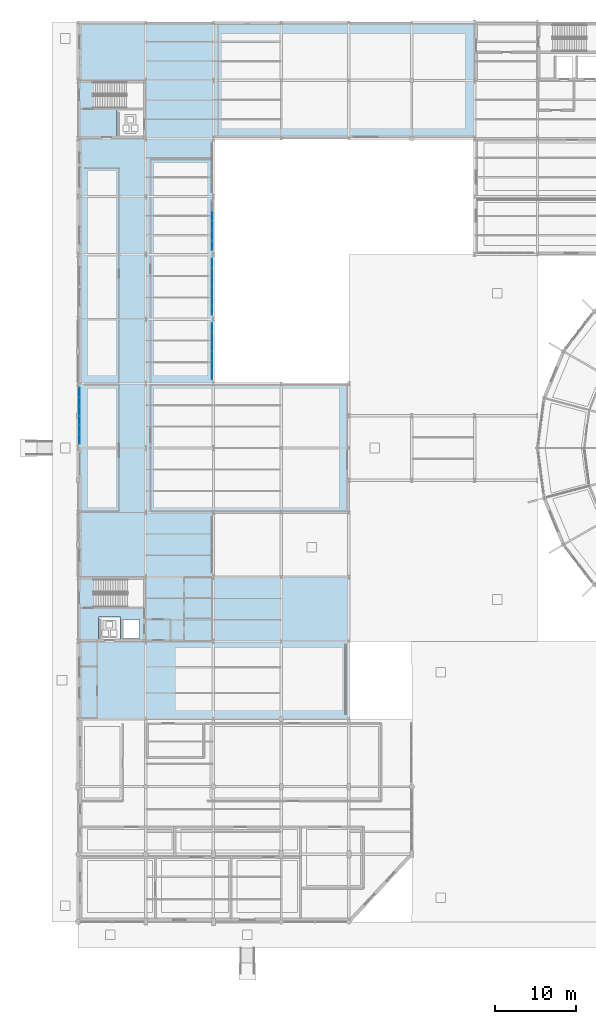
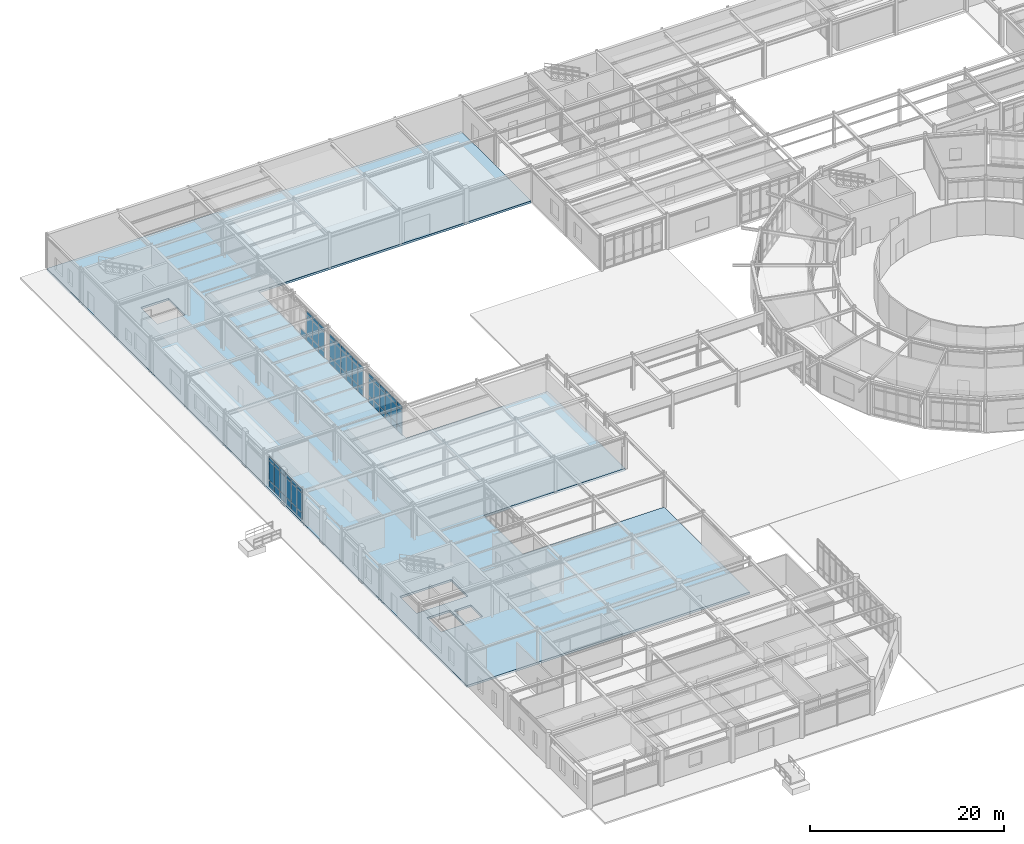
# One storey, part 66 of 101: 64 plates, 1 slab, 4 elements without a shape of their own.
"""IFC4 building model written with IfcOpenShell, lengths in metres."""

from ifc_helpers import new_model, si_unit, derived_unit, direction, frame, origin, origin_2d, place, context, subcontext, project, spatial, polyline, rectangle, outline, extrude, material, layer, layer_set, type_object, element, aggregate, save


model = new_model("IFC4")

# Units and contexts
model_context = context("Model", 3, precision=1e-05, world=origin(), true_north=direction((0.0, 1.0)))
body_context = subcontext(model_context, "Body", "Model", "MODEL_VIEW")
ifc_project = project(units=[si_unit("LENGTHUNIT", "METRE"), si_unit("AREAUNIT", "SQUARE_METRE"), si_unit("VOLUMEUNIT", "CUBIC_METRE"), si_unit("PLANEANGLEUNIT", "RADIAN"), si_unit("MASSUNIT", "GRAM", prefix="KILO"), derived_unit("THERMALTRANSMITTANCEUNIT", [(si_unit("POWERUNIT", "WATT"), 1), (si_unit("AREAUNIT", "SQUARE_METRE"), -1), (si_unit("THERMODYNAMICTEMPERATUREUNIT", "KELVIN"), -1)])], contexts=[model_context])

# Site, building, storey
site_placement = place(None, origin())
site = spatial("IfcSite", under=ifc_project, at=site_placement, CompositionType="ELEMENT")
building_placement = place(site_placement, origin())
building = spatial("IfcBuilding", under=site, at=building_placement, Name="Yasenodar Specialist Clinic", CompositionType="ELEMENT")
storey_placement = place(building_placement, origin())
storey = spatial("IfcBuildingStorey", under=building, at=storey_placement, Name="L00", CompositionType="ELEMENT", Elevation=0.0)

# Curtain wall, plates
ifc_material_1 = material(Name="Bronze Anodized Aluminium and Triple Low-E Glass", Category="aluminium")
ifc_layer_1 = layer(ifc_material_1, 0.202880859375)
ifc_layer_set_1 = layer_set([ifc_layer_1], Name="Bronze Anodized Aluminium and Triple Low-E Glass")
curtain_wall_type_1 = type_object("IfcCurtainWallType", Name="CW-SYS-04", PredefinedType="USERDEFINED", material=ifc_layer_set_1)
curtain_wall_1_placement = place(storey_placement, origin())
curtain_wall_1 = element("IfcCurtainWall", 1, at=curtain_wall_1_placement, inside=storey, type_object=curtain_wall_type_1, Name="L00 Unitised Curtain Wall 116", ObjectType="UNITISED CURTAIN WALL", PredefinedType="USERDEFINED")
ifc_material_2 = material(Name="Triple Low-E Argon Glazing", Category="glass")
ifc_layer_2 = layer(ifc_material_2, 0.028076171875)
ifc_layer_set_2 = layer_set([ifc_layer_2], Name="Triple Low-E Argon Glazing")
plate_type_1 = type_object("IfcPlateType", Name="CW-PAN-1", PredefinedType="CURTAIN_PANEL", material=ifc_layer_set_2)
plate_1_placement = place(storey_placement, frame((16.64990234375, 81.71826171875, 0.06005859375), z_axis=(0.0, 0.0, 1.0), x_axis=(0.0, -1.0, 0.0)))
plate_1 = element("IfcPlate", 2, at=plate_1_placement, type_object=plate_type_1, Name="CW-04 panel 1.1", PredefinedType="CURTAIN_PANEL", context=body_context, shape_type="SweptSolid", body=[
    extrude(rectangle(XDim=1.083251953125, YDim=0.028076171875, at=origin_2d()), origin(), (0.0, 0.0, 1.0), 0.81005859375),
])
plate_2_placement = place(storey_placement, frame((16.64990234375, 81.71826171875, 0.929931640625), z_axis=(0.0, 0.0, 1.0), x_axis=(0.0, -1.0, 0.0)))
plate_2 = element("IfcPlate", 3, at=plate_2_placement, type_object=plate_type_1, Name="CW-04 panel 1.2", PredefinedType="CURTAIN_PANEL", context=body_context, shape_type="SweptSolid", body=[
    extrude(rectangle(XDim=1.083251953125, YDim=0.028076171875, at=origin_2d()), origin(), (0.0, 0.0, 1.0), 2.26806640625),
])
plate_3_placement = place(storey_placement, frame((16.64990234375, 81.71826171875, 3.2578125), z_axis=(0.0, 0.0, 1.0), x_axis=(0.0, -1.0, 0.0)))
plate_3 = element("IfcPlate", 4, at=plate_3_placement, type_object=plate_type_1, Name="CW-04 panel 1.3", PredefinedType="CURTAIN_PANEL", context=body_context, shape_type="SweptSolid", body=[
    extrude(rectangle(XDim=1.083251953125, YDim=0.028076171875, at=origin_2d()), origin(), (0.0, 0.0, 1.0), 0.510009765625),
])
plate_4_placement = place(storey_placement, frame((16.64990234375, 80.56005859375, 0.06005859375), z_axis=(0.0, 0.0, 1.0), x_axis=(0.0, -1.0, 0.0)))
plate_4 = element("IfcPlate", 5, at=plate_4_placement, type_object=plate_type_1, Name="CW-04 panel 2.1", PredefinedType="CURTAIN_PANEL", context=body_context, shape_type="SweptSolid", body=[
    extrude(rectangle(XDim=1.11328125, YDim=0.028076171875, at=origin_2d()), origin(), (0.0, 0.0, 1.0), 0.81005859375),
])
plate_5_placement = place(storey_placement, frame((16.64990234375, 80.56005859375, 0.929931640625), z_axis=(0.0, 0.0, 1.0), x_axis=(0.0, -1.0, 0.0)))
plate_5 = element("IfcPlate", 6, at=plate_5_placement, type_object=plate_type_1, Name="CW-04 panel 2.2", PredefinedType="CURTAIN_PANEL", context=body_context, shape_type="SweptSolid", body=[
    extrude(rectangle(XDim=1.11328125, YDim=0.028076171875, at=origin_2d()), origin(), (0.0, 0.0, 1.0), 2.26806640625),
])
plate_6_placement = place(storey_placement, frame((16.64990234375, 80.56005859375, 3.2578125), z_axis=(0.0, 0.0, 1.0), x_axis=(0.0, -1.0, 0.0)))
plate_6 = element("IfcPlate", 7, at=plate_6_placement, type_object=plate_type_1, Name="CW-04 panel 2.3", PredefinedType="CURTAIN_PANEL", context=body_context, shape_type="SweptSolid", body=[
    extrude(rectangle(XDim=1.11328125, YDim=0.028076171875, at=origin_2d()), origin(), (0.0, 0.0, 1.0), 0.510009765625),
])
plate_7_placement = place(storey_placement, frame((16.64990234375, 79.38671875, 0.06005859375), z_axis=(0.0, 0.0, 1.0), x_axis=(0.0, -1.0, 0.0)))
plate_7 = element("IfcPlate", 8, at=plate_7_placement, type_object=plate_type_1, Name="CW-04 panel 3.1", PredefinedType="CURTAIN_PANEL", context=body_context, shape_type="SweptSolid", body=[
    extrude(rectangle(XDim=1.11328125, YDim=0.028076171875, at=origin_2d()), origin(), (0.0, 0.0, 1.0), 0.81005859375),
])
plate_8_placement = place(storey_placement, frame((16.64990234375, 79.38671875, 0.929931640625), z_axis=(0.0, 0.0, 1.0), x_axis=(0.0, -1.0, 0.0)))
plate_8 = element("IfcPlate", 9, at=plate_8_placement, type_object=plate_type_1, Name="CW-04 panel 3.2", PredefinedType="CURTAIN_PANEL", context=body_context, shape_type="SweptSolid", body=[
    extrude(rectangle(XDim=1.11328125, YDim=0.028076171875, at=origin_2d()), origin(), (0.0, 0.0, 1.0), 2.26806640625),
])
plate_9_placement = place(storey_placement, frame((16.64990234375, 79.38671875, 3.2578125), z_axis=(0.0, 0.0, 1.0), x_axis=(0.0, -1.0, 0.0)))
plate_9 = element("IfcPlate", 10, at=plate_9_placement, type_object=plate_type_1, Name="CW-04 panel 3.3", PredefinedType="CURTAIN_PANEL", context=body_context, shape_type="SweptSolid", body=[
    extrude(rectangle(XDim=1.11328125, YDim=0.028076171875, at=origin_2d()), origin(), (0.0, 0.0, 1.0), 0.510009765625),
])
plate_10_placement = place(storey_placement, frame((16.64990234375, 78.21337890625, 0.06005859375), z_axis=(0.0, 0.0, 1.0), x_axis=(0.0, -1.0, 0.0)))
plate_10 = element("IfcPlate", 11, at=plate_10_placement, type_object=plate_type_1, Name="CW-04 panel 4.1", PredefinedType="CURTAIN_PANEL", context=body_context, shape_type="SweptSolid", body=[
    extrude(rectangle(XDim=1.11328125, YDim=0.028076171875, at=origin_2d()), origin(), (0.0, 0.0, 1.0), 0.81005859375),
])
plate_11_placement = place(storey_placement, frame((16.64990234375, 78.21337890625, 0.929931640625), z_axis=(0.0, 0.0, 1.0), x_axis=(0.0, -1.0, 0.0)))
plate_11 = element("IfcPlate", 12, at=plate_11_placement, type_object=plate_type_1, Name="CW-04 panel 4.2", PredefinedType="CURTAIN_PANEL", context=body_context, shape_type="SweptSolid", body=[
    extrude(rectangle(XDim=1.11328125, YDim=0.028076171875, at=origin_2d()), origin(), (0.0, 0.0, 1.0), 2.26806640625),
])
plate_12_placement = place(storey_placement, frame((16.64990234375, 78.21337890625, 3.2578125), z_axis=(0.0, 0.0, 1.0), x_axis=(0.0, -1.0, 0.0)))
plate_12 = element("IfcPlate", 13, at=plate_12_placement, type_object=plate_type_1, Name="CW-04 panel 4.3", PredefinedType="CURTAIN_PANEL", context=body_context, shape_type="SweptSolid", body=[
    extrude(rectangle(XDim=1.11328125, YDim=0.028076171875, at=origin_2d()), origin(), (0.0, 0.0, 1.0), 0.510009765625),
])
plate_13_placement = place(storey_placement, frame((16.64990234375, 77.0400390625, 0.06005859375), z_axis=(0.0, 0.0, 1.0), x_axis=(0.0, -1.0, 0.0)))
plate_13 = element("IfcPlate", 14, at=plate_13_placement, type_object=plate_type_1, Name="CW-04 panel 5.1", PredefinedType="CURTAIN_PANEL", context=body_context, shape_type="SweptSolid", body=[
    extrude(rectangle(XDim=1.11328125, YDim=0.028076171875, at=origin_2d()), origin(), (0.0, 0.0, 1.0), 0.81005859375),
])
plate_14_placement = place(storey_placement, frame((16.64990234375, 77.0400390625, 0.929931640625), z_axis=(0.0, 0.0, 1.0), x_axis=(0.0, -1.0, 0.0)))
plate_14 = element("IfcPlate", 15, at=plate_14_placement, type_object=plate_type_1, Name="CW-04 panel 5.2", PredefinedType="CURTAIN_PANEL", context=body_context, shape_type="SweptSolid", body=[
    extrude(rectangle(XDim=1.11328125, YDim=0.028076171875, at=origin_2d()), origin(), (0.0, 0.0, 1.0), 2.26806640625),
])
plate_15_placement = place(storey_placement, frame((16.64990234375, 77.0400390625, 3.2578125), z_axis=(0.0, 0.0, 1.0), x_axis=(0.0, -1.0, 0.0)))
plate_15 = element("IfcPlate", 16, at=plate_15_placement, type_object=plate_type_1, Name="CW-04 panel 5.3", PredefinedType="CURTAIN_PANEL", context=body_context, shape_type="SweptSolid", body=[
    extrude(rectangle(XDim=1.11328125, YDim=0.028076171875, at=origin_2d()), origin(), (0.0, 0.0, 1.0), 0.510009765625),
])
plate_16_placement = place(storey_placement, frame((16.64990234375, 75.881591796875, 0.06005859375), z_axis=(0.0, 0.0, 1.0), x_axis=(0.0, -1.0, 0.0)))
plate_16 = element("IfcPlate", 17, at=plate_16_placement, type_object=plate_type_1, Name="CW-04 panel 6.1", PredefinedType="CURTAIN_PANEL", context=body_context, shape_type="SweptSolid", body=[
    extrude(rectangle(XDim=1.083251953125, YDim=0.028076171875, at=origin_2d()), origin(), (0.0, 0.0, 1.0), 0.81005859375),
])
plate_17_placement = place(storey_placement, frame((16.64990234375, 75.881591796875, 0.929931640625), z_axis=(0.0, 0.0, 1.0), x_axis=(0.0, -1.0, 0.0)))
plate_17 = element("IfcPlate", 18, at=plate_17_placement, type_object=plate_type_1, Name="CW-04 panel 6.2", PredefinedType="CURTAIN_PANEL", context=body_context, shape_type="SweptSolid", body=[
    extrude(rectangle(XDim=1.083251953125, YDim=0.028076171875, at=origin_2d()), origin(), (0.0, 0.0, 1.0), 2.26806640625),
])
plate_18_placement = place(storey_placement, frame((16.64990234375, 75.881591796875, 3.2578125), z_axis=(0.0, 0.0, 1.0), x_axis=(0.0, -1.0, 0.0)))
plate_18 = element("IfcPlate", 19, at=plate_18_placement, type_object=plate_type_1, Name="CW-04 panel 6.3", PredefinedType="CURTAIN_PANEL", context=body_context, shape_type="SweptSolid", body=[
    extrude(rectangle(XDim=1.083251953125, YDim=0.028076171875, at=origin_2d()), origin(), (0.0, 0.0, 1.0), 0.510009765625),
])
aggregate(curtain_wall_1, [plate_1, plate_2, plate_3, plate_4, plate_5, plate_6, plate_7, plate_8, plate_9, plate_10, plate_11, plate_12, plate_13, plate_14, plate_15, plate_16, plate_17, plate_18])

ifc_layer_3 = layer(ifc_material_1, 0.22705078125)
ifc_layer_set_3 = layer_set([ifc_layer_3], Name="Bronze Anodized Aluminium and Triple Low-E Glass")
curtain_wall_type_2 = type_object("IfcCurtainWallType", Name="CW-SYS-06", PredefinedType="USERDEFINED", material=ifc_layer_set_3)
curtain_wall_2_placement = place(storey_placement, origin())
curtain_wall_2 = element("IfcCurtainWall", 20, at=curtain_wall_2_placement, inside=storey, type_object=curtain_wall_type_2, Name="L00 Unitised Curtain Wall 113", ObjectType="UNITISED CURTAIN WALL", PredefinedType="USERDEFINED")
ifc_layer_4 = layer(ifc_material_2, 0.033935546875)
ifc_layer_set_4 = layer_set([ifc_layer_4], Name="Triple Low-E Argon Glazing")
plate_type_2 = type_object("IfcPlateType", Name="CW-PAN-2", PredefinedType="CURTAIN_PANEL", material=ifc_layer_set_4)
plate_19_placement = place(storey_placement, frame((0.179931640625, 59.88427734375, 0.070068359375), z_axis=(0.0, 0.0, 1.0), x_axis=(0.0, 1.0, 0.0)))
plate_19 = element("IfcPlate", 21, at=plate_19_placement, type_object=plate_type_2, Name="CW-06 panel 1.1", PredefinedType="CURTAIN_PANEL", context=body_context, shape_type="SweptSolid", body=[
    extrude(rectangle(XDim=1.068359375, YDim=0.033935546875, at=origin_2d()), origin(), (0.0, 0.0, 1.0), 0.794921875),
])
plate_20_placement = place(storey_placement, frame((0.179931640625, 59.88427734375, 0.93505859375), z_axis=(0.0, 0.0, 1.0), x_axis=(0.0, 1.0, 0.0)))
plate_20 = element("IfcPlate", 22, at=plate_20_placement, type_object=plate_type_2, Name="CW-06 panel 1.2", PredefinedType="CURTAIN_PANEL", context=body_context, shape_type="SweptSolid", body=[
    extrude(rectangle(XDim=1.068359375, YDim=0.033935546875, at=origin_2d()), origin(), (0.0, 0.0, 1.0), 2.407958984375),
])
plate_21_placement = place(storey_placement, frame((0.179931640625, 59.88427734375, 3.412841796875), z_axis=(0.0, 0.0, 1.0), x_axis=(0.0, 1.0, 0.0)))
plate_21 = element("IfcPlate", 23, at=plate_21_placement, type_object=plate_type_2, Name="CW-06 panel 1.3", PredefinedType="CURTAIN_PANEL", context=body_context, shape_type="SweptSolid", body=[
    extrude(rectangle(XDim=1.068359375, YDim=0.033935546875, at=origin_2d()), origin(), (0.0, 0.0, 1.0), 0.4951171875),
])
plate_22_placement = place(storey_placement, frame((0.179931640625, 61.0400390625, 0.070068359375), z_axis=(0.0, 0.0, 1.0), x_axis=(0.0, 1.0, 0.0)))
plate_22 = element("IfcPlate", 24, at=plate_22_placement, type_object=plate_type_2, Name="CW-06 panel 2.1", PredefinedType="CURTAIN_PANEL", context=body_context, shape_type="SweptSolid", body=[
    extrude(rectangle(XDim=1.103271484375, YDim=0.033935546875, at=origin_2d()), origin(), (0.0, 0.0, 1.0), 0.794921875),
])
plate_23_placement = place(storey_placement, frame((0.179931640625, 61.0400390625, 0.93505859375), z_axis=(0.0, 0.0, 1.0), x_axis=(0.0, 1.0, 0.0)))
plate_23 = element("IfcPlate", 25, at=plate_23_placement, type_object=plate_type_2, Name="CW-06 panel 2.2", PredefinedType="CURTAIN_PANEL", context=body_context, shape_type="SweptSolid", body=[
    extrude(rectangle(XDim=1.103271484375, YDim=0.033935546875, at=origin_2d()), origin(), (0.0, 0.0, 1.0), 2.407958984375),
])
plate_24_placement = place(storey_placement, frame((0.179931640625, 61.0400390625, 3.412841796875), z_axis=(0.0, 0.0, 1.0), x_axis=(0.0, 1.0, 0.0)))
plate_24 = element("IfcPlate", 26, at=plate_24_placement, type_object=plate_type_2, Name="CW-06 panel 2.3", PredefinedType="CURTAIN_PANEL", context=body_context, shape_type="SweptSolid", body=[
    extrude(rectangle(XDim=1.103271484375, YDim=0.033935546875, at=origin_2d()), origin(), (0.0, 0.0, 1.0), 0.4951171875),
])
plate_25_placement = place(storey_placement, frame((0.179931640625, 62.21337890625, 0.070068359375), z_axis=(0.0, 0.0, 1.0), x_axis=(0.0, 1.0, 0.0)))
plate_25 = element("IfcPlate", 27, at=plate_25_placement, type_object=plate_type_2, Name="CW-06 panel 3.1", PredefinedType="CURTAIN_PANEL", context=body_context, shape_type="SweptSolid", body=[
    extrude(rectangle(XDim=1.103271484375, YDim=0.033935546875, at=origin_2d()), origin(), (0.0, 0.0, 1.0), 0.794921875),
])
plate_26_placement = place(storey_placement, frame((0.179931640625, 62.21337890625, 0.93505859375), z_axis=(0.0, 0.0, 1.0), x_axis=(0.0, 1.0, 0.0)))
plate_26 = element("IfcPlate", 28, at=plate_26_placement, type_object=plate_type_2, Name="CW-06 panel 3.2", PredefinedType="CURTAIN_PANEL", context=body_context, shape_type="SweptSolid", body=[
    extrude(rectangle(XDim=1.103271484375, YDim=0.033935546875, at=origin_2d()), origin(), (0.0, 0.0, 1.0), 2.407958984375),
])
plate_27_placement = place(storey_placement, frame((0.179931640625, 62.21337890625, 3.412841796875), z_axis=(0.0, 0.0, 1.0), x_axis=(0.0, 1.0, 0.0)))
plate_27 = element("IfcPlate", 29, at=plate_27_placement, type_object=plate_type_2, Name="CW-06 panel 3.3", PredefinedType="CURTAIN_PANEL", context=body_context, shape_type="SweptSolid", body=[
    extrude(rectangle(XDim=1.103271484375, YDim=0.033935546875, at=origin_2d()), origin(), (0.0, 0.0, 1.0), 0.4951171875),
])
plate_28_placement = place(storey_placement, frame((0.179931640625, 63.38671875, 0.070068359375), z_axis=(0.0, 0.0, 1.0), x_axis=(0.0, 1.0, 0.0)))
plate_28 = element("IfcPlate", 30, at=plate_28_placement, type_object=plate_type_2, Name="CW-06 panel 4.1", PredefinedType="CURTAIN_PANEL", context=body_context, shape_type="SweptSolid", body=[
    extrude(rectangle(XDim=1.103271484375, YDim=0.033935546875, at=origin_2d()), origin(), (0.0, 0.0, 1.0), 0.794921875),
])
plate_29_placement = place(storey_placement, frame((0.179931640625, 63.38671875, 0.93505859375), z_axis=(0.0, 0.0, 1.0), x_axis=(0.0, 1.0, 0.0)))
plate_29 = element("IfcPlate", 31, at=plate_29_placement, type_object=plate_type_2, Name="CW-06 panel 4.2", PredefinedType="CURTAIN_PANEL", context=body_context, shape_type="SweptSolid", body=[
    extrude(rectangle(XDim=1.103271484375, YDim=0.033935546875, at=origin_2d()), origin(), (0.0, 0.0, 1.0), 2.407958984375),
])
plate_30_placement = place(storey_placement, frame((0.179931640625, 63.38671875, 3.412841796875), z_axis=(0.0, 0.0, 1.0), x_axis=(0.0, 1.0, 0.0)))
plate_30 = element("IfcPlate", 32, at=plate_30_placement, type_object=plate_type_2, Name="CW-06 panel 4.3", PredefinedType="CURTAIN_PANEL", context=body_context, shape_type="SweptSolid", body=[
    extrude(rectangle(XDim=1.103271484375, YDim=0.033935546875, at=origin_2d()), origin(), (0.0, 0.0, 1.0), 0.4951171875),
])
plate_31_placement = place(storey_placement, frame((0.179931640625, 64.56005859375, 0.070068359375), z_axis=(0.0, 0.0, 1.0), x_axis=(0.0, 1.0, 0.0)))
plate_31 = element("IfcPlate", 33, at=plate_31_placement, type_object=plate_type_2, Name="CW-06 panel 5.1", PredefinedType="CURTAIN_PANEL", context=body_context, shape_type="SweptSolid", body=[
    extrude(rectangle(XDim=1.103271484375, YDim=0.033935546875, at=origin_2d()), origin(), (0.0, 0.0, 1.0), 0.794921875),
])
plate_32_placement = place(storey_placement, frame((0.179931640625, 64.56005859375, 0.93505859375), z_axis=(0.0, 0.0, 1.0), x_axis=(0.0, 1.0, 0.0)))
plate_32 = element("IfcPlate", 34, at=plate_32_placement, type_object=plate_type_2, Name="CW-06 panel 5.2", PredefinedType="CURTAIN_PANEL", context=body_context, shape_type="SweptSolid", body=[
    extrude(rectangle(XDim=1.103271484375, YDim=0.033935546875, at=origin_2d()), origin(), (0.0, 0.0, 1.0), 2.407958984375),
])
plate_33_placement = place(storey_placement, frame((0.179931640625, 64.56005859375, 3.412841796875), z_axis=(0.0, 0.0, 1.0), x_axis=(0.0, 1.0, 0.0)))
plate_33 = element("IfcPlate", 35, at=plate_33_placement, type_object=plate_type_2, Name="CW-06 panel 5.3", PredefinedType="CURTAIN_PANEL", context=body_context, shape_type="SweptSolid", body=[
    extrude(rectangle(XDim=1.103271484375, YDim=0.033935546875, at=origin_2d()), origin(), (0.0, 0.0, 1.0), 0.4951171875),
])
plate_34_placement = place(storey_placement, frame((0.179931640625, 65.7158203125, 0.070068359375), z_axis=(0.0, 0.0, 1.0), x_axis=(0.0, 1.0, 0.0)))
plate_34 = element("IfcPlate", 36, at=plate_34_placement, type_object=plate_type_2, Name="CW-06 panel 6.1", PredefinedType="CURTAIN_PANEL", context=body_context, shape_type="SweptSolid", body=[
    extrude(rectangle(XDim=1.068359375, YDim=0.033935546875, at=origin_2d()), origin(), (0.0, 0.0, 1.0), 0.794921875),
])
plate_35_placement = place(storey_placement, frame((0.179931640625, 65.7158203125, 0.93505859375), z_axis=(0.0, 0.0, 1.0), x_axis=(0.0, 1.0, 0.0)))
plate_35 = element("IfcPlate", 37, at=plate_35_placement, type_object=plate_type_2, Name="CW-06 panel 6.2", PredefinedType="CURTAIN_PANEL", context=body_context, shape_type="SweptSolid", body=[
    extrude(rectangle(XDim=1.068359375, YDim=0.033935546875, at=origin_2d()), origin(), (0.0, 0.0, 1.0), 2.407958984375),
])
plate_36_placement = place(storey_placement, frame((0.179931640625, 65.7158203125, 3.412841796875), z_axis=(0.0, 0.0, 1.0), x_axis=(0.0, 1.0, 0.0)))
plate_36 = element("IfcPlate", 38, at=plate_36_placement, type_object=plate_type_2, Name="CW-06 panel 6.3", PredefinedType="CURTAIN_PANEL", context=body_context, shape_type="SweptSolid", body=[
    extrude(rectangle(XDim=1.068359375, YDim=0.033935546875, at=origin_2d()), origin(), (0.0, 0.0, 1.0), 0.4951171875),
])
aggregate(curtain_wall_2, [plate_19, plate_20, plate_21, plate_22, plate_23, plate_24, plate_25, plate_26, plate_27, plate_28, plate_29, plate_30, plate_31, plate_32, plate_33, plate_34, plate_35, plate_36])

curtain_wall_3_placement = place(storey_placement, origin())
curtain_wall_3 = element("IfcCurtainWall", 39, at=curtain_wall_3_placement, inside=storey, type_object=curtain_wall_type_1, Name="L00 Unitised Curtain Wall 117", ObjectType="UNITISED CURTAIN WALL", PredefinedType="USERDEFINED")
plate_37_placement = place(storey_placement, frame((16.64990234375, 73.71826171875, 0.06005859375), z_axis=(0.0, 0.0, 1.0), x_axis=(0.0, -1.0, 0.0)))
plate_37 = element("IfcPlate", 40, at=plate_37_placement, type_object=plate_type_2, Name="CW-04 panel 1.1", PredefinedType="CURTAIN_PANEL", context=body_context, shape_type="SweptSolid", body=[
    extrude(rectangle(XDim=1.083251953125, YDim=0.033935546875, at=origin_2d()), origin(), (0.0, 0.0, 1.0), 0.81005859375),
])
plate_38_placement = place(storey_placement, frame((16.64990234375, 73.71826171875, 0.93017578125), z_axis=(0.0, 0.0, 1.0), x_axis=(0.0, -1.0, 0.0)))
plate_38 = element("IfcPlate", 41, at=plate_38_placement, type_object=plate_type_2, Name="CW-04 panel 1.2", PredefinedType="CURTAIN_PANEL", context=body_context, shape_type="SweptSolid", body=[
    extrude(rectangle(XDim=1.083251953125, YDim=0.033935546875, at=origin_2d()), origin(), (0.0, 0.0, 1.0), 2.218017578125),
])
plate_39_placement = place(storey_placement, frame((16.64990234375, 73.71826171875, 3.2080078125), z_axis=(0.0, 0.0, 1.0), x_axis=(0.0, -1.0, 0.0)))
plate_39 = element("IfcPlate", 42, at=plate_39_placement, type_object=plate_type_2, Name="CW-04 panel 1.3", PredefinedType="CURTAIN_PANEL", context=body_context, shape_type="SweptSolid", body=[
    extrude(rectangle(XDim=1.083251953125, YDim=0.033935546875, at=origin_2d()), origin(), (0.0, 0.0, 1.0), 0.510009765625),
])
plate_40_placement = place(storey_placement, frame((16.64990234375, 72.56005859375, 0.06005859375), z_axis=(0.0, 0.0, 1.0), x_axis=(0.0, -1.0, 0.0)))
plate_40 = element("IfcPlate", 43, at=plate_40_placement, type_object=plate_type_2, Name="CW-04 panel 2.1", PredefinedType="CURTAIN_PANEL", context=body_context, shape_type="SweptSolid", body=[
    extrude(rectangle(XDim=1.11328125, YDim=0.033935546875, at=origin_2d()), origin(), (0.0, 0.0, 1.0), 0.81005859375),
])
plate_41_placement = place(storey_placement, frame((16.64990234375, 72.56005859375, 0.93017578125), z_axis=(0.0, 0.0, 1.0), x_axis=(0.0, -1.0, 0.0)))
plate_41 = element("IfcPlate", 44, at=plate_41_placement, type_object=plate_type_2, Name="CW-04 panel 2.2", PredefinedType="CURTAIN_PANEL", context=body_context, shape_type="SweptSolid", body=[
    extrude(rectangle(XDim=1.11328125, YDim=0.033935546875, at=origin_2d()), origin(), (0.0, 0.0, 1.0), 2.218017578125),
])
plate_42_placement = place(storey_placement, frame((16.64990234375, 72.56005859375, 3.2080078125), z_axis=(0.0, 0.0, 1.0), x_axis=(0.0, -1.0, 0.0)))
plate_42 = element("IfcPlate", 45, at=plate_42_placement, type_object=plate_type_2, Name="CW-04 panel 2.3", PredefinedType="CURTAIN_PANEL", context=body_context, shape_type="SweptSolid", body=[
    extrude(rectangle(XDim=1.11328125, YDim=0.033935546875, at=origin_2d()), origin(), (0.0, 0.0, 1.0), 0.510009765625),
])
plate_43_placement = place(storey_placement, frame((16.64990234375, 71.38671875, 0.06005859375), z_axis=(0.0, 0.0, 1.0), x_axis=(0.0, -1.0, 0.0)))
plate_43 = element("IfcPlate", 46, at=plate_43_placement, type_object=plate_type_2, Name="CW-04 panel 3.1", PredefinedType="CURTAIN_PANEL", context=body_context, shape_type="SweptSolid", body=[
    extrude(rectangle(XDim=1.11328125, YDim=0.033935546875, at=origin_2d()), origin(), (0.0, 0.0, 1.0), 0.81005859375),
])
plate_44_placement = place(storey_placement, frame((16.64990234375, 71.38671875, 0.93017578125), z_axis=(0.0, 0.0, 1.0), x_axis=(0.0, -1.0, 0.0)))
plate_44 = element("IfcPlate", 47, at=plate_44_placement, type_object=plate_type_2, Name="CW-04 panel 3.2", PredefinedType="CURTAIN_PANEL", context=body_context, shape_type="SweptSolid", body=[
    extrude(rectangle(XDim=1.11328125, YDim=0.033935546875, at=origin_2d()), origin(), (0.0, 0.0, 1.0), 2.218017578125),
])
plate_45_placement = place(storey_placement, frame((16.64990234375, 71.38671875, 3.2080078125), z_axis=(0.0, 0.0, 1.0), x_axis=(0.0, -1.0, 0.0)))
plate_45 = element("IfcPlate", 48, at=plate_45_placement, type_object=plate_type_2, Name="CW-04 panel 3.3", PredefinedType="CURTAIN_PANEL", context=body_context, shape_type="SweptSolid", body=[
    extrude(rectangle(XDim=1.11328125, YDim=0.033935546875, at=origin_2d()), origin(), (0.0, 0.0, 1.0), 0.510009765625),
])
plate_46_placement = place(storey_placement, frame((16.64990234375, 70.21337890625, 0.06005859375), z_axis=(0.0, 0.0, 1.0), x_axis=(0.0, -1.0, 0.0)))
plate_46 = element("IfcPlate", 49, at=plate_46_placement, type_object=plate_type_2, Name="CW-04 panel 4.1", PredefinedType="CURTAIN_PANEL", context=body_context, shape_type="SweptSolid", body=[
    extrude(rectangle(XDim=1.11328125, YDim=0.033935546875, at=origin_2d()), origin(), (0.0, 0.0, 1.0), 0.81005859375),
])
plate_47_placement = place(storey_placement, frame((16.64990234375, 70.21337890625, 0.93017578125), z_axis=(0.0, 0.0, 1.0), x_axis=(0.0, -1.0, 0.0)))
plate_47 = element("IfcPlate", 50, at=plate_47_placement, type_object=plate_type_2, Name="CW-04 panel 4.2", PredefinedType="CURTAIN_PANEL", context=body_context, shape_type="SweptSolid", body=[
    extrude(rectangle(XDim=1.11328125, YDim=0.033935546875, at=origin_2d()), origin(), (0.0, 0.0, 1.0), 2.218017578125),
])
plate_48_placement = place(storey_placement, frame((16.64990234375, 70.21337890625, 3.2080078125), z_axis=(0.0, 0.0, 1.0), x_axis=(0.0, -1.0, 0.0)))
plate_48 = element("IfcPlate", 51, at=plate_48_placement, type_object=plate_type_2, Name="CW-04 panel 4.3", PredefinedType="CURTAIN_PANEL", context=body_context, shape_type="SweptSolid", body=[
    extrude(rectangle(XDim=1.11328125, YDim=0.033935546875, at=origin_2d()), origin(), (0.0, 0.0, 1.0), 0.510009765625),
])
plate_49_placement = place(storey_placement, frame((16.64990234375, 69.0400390625, 0.06005859375), z_axis=(0.0, 0.0, 1.0), x_axis=(0.0, -1.0, 0.0)))
plate_49 = element("IfcPlate", 52, at=plate_49_placement, type_object=plate_type_2, Name="CW-04 panel 5.1", PredefinedType="CURTAIN_PANEL", context=body_context, shape_type="SweptSolid", body=[
    extrude(rectangle(XDim=1.11328125, YDim=0.033935546875, at=origin_2d()), origin(), (0.0, 0.0, 1.0), 0.81005859375),
])
plate_50_placement = place(storey_placement, frame((16.64990234375, 69.0400390625, 0.93017578125), z_axis=(0.0, 0.0, 1.0), x_axis=(0.0, -1.0, 0.0)))
plate_50 = element("IfcPlate", 53, at=plate_50_placement, type_object=plate_type_2, Name="CW-04 panel 5.2", PredefinedType="CURTAIN_PANEL", context=body_context, shape_type="SweptSolid", body=[
    extrude(rectangle(XDim=1.11328125, YDim=0.033935546875, at=origin_2d()), origin(), (0.0, 0.0, 1.0), 2.218017578125),
])
plate_51_placement = place(storey_placement, frame((16.64990234375, 69.0400390625, 3.2080078125), z_axis=(0.0, 0.0, 1.0), x_axis=(0.0, -1.0, 0.0)))
plate_51 = element("IfcPlate", 54, at=plate_51_placement, type_object=plate_type_2, Name="CW-04 panel 5.3", PredefinedType="CURTAIN_PANEL", context=body_context, shape_type="SweptSolid", body=[
    extrude(rectangle(XDim=1.11328125, YDim=0.033935546875, at=origin_2d()), origin(), (0.0, 0.0, 1.0), 0.510009765625),
])
plate_52_placement = place(storey_placement, frame((16.64990234375, 67.881591796875, 0.06005859375), z_axis=(0.0, 0.0, 1.0), x_axis=(0.0, -1.0, 0.0)))
plate_52 = element("IfcPlate", 55, at=plate_52_placement, type_object=plate_type_2, Name="CW-04 panel 6.1", PredefinedType="CURTAIN_PANEL", context=body_context, shape_type="SweptSolid", body=[
    extrude(rectangle(XDim=1.083251953125, YDim=0.033935546875, at=origin_2d()), origin(), (0.0, 0.0, 1.0), 0.81005859375),
])
plate_53_placement = place(storey_placement, frame((16.64990234375, 67.881591796875, 0.93017578125), z_axis=(0.0, 0.0, 1.0), x_axis=(0.0, -1.0, 0.0)))
plate_53 = element("IfcPlate", 56, at=plate_53_placement, type_object=plate_type_2, Name="CW-04 panel 6.2", PredefinedType="CURTAIN_PANEL", context=body_context, shape_type="SweptSolid", body=[
    extrude(rectangle(XDim=1.083251953125, YDim=0.033935546875, at=origin_2d()), origin(), (0.0, 0.0, 1.0), 2.218017578125),
])
plate_54_placement = place(storey_placement, frame((16.64990234375, 67.881591796875, 3.2080078125), z_axis=(0.0, 0.0, 1.0), x_axis=(0.0, -1.0, 0.0)))
plate_54 = element("IfcPlate", 57, at=plate_54_placement, type_object=plate_type_2, Name="CW-04 panel 6.3", PredefinedType="CURTAIN_PANEL", context=body_context, shape_type="SweptSolid", body=[
    extrude(rectangle(XDim=1.083251953125, YDim=0.033935546875, at=origin_2d()), origin(), (0.0, 0.0, 1.0), 0.510009765625),
])
aggregate(curtain_wall_3, [plate_37, plate_38, plate_39, plate_40, plate_41, plate_42, plate_43, plate_44, plate_45, plate_46, plate_47, plate_48, plate_49, plate_50, plate_51, plate_52, plate_53, plate_54])

curtain_wall_4_placement = place(storey_placement, origin())
curtain_wall_4 = element("IfcCurtainWall", 58, at=curtain_wall_4_placement, inside=storey, type_object=curtain_wall_type_1, Name="L00 Unitised Curtain Wall 115", ObjectType="UNITISED CURTAIN WALL", PredefinedType="USERDEFINED")
ifc_layer_5 = layer(ifc_material_2, 0.0458984375)
ifc_layer_set_5 = layer_set([ifc_layer_5], Name="Triple Low-E Argon Glazing")
plate_type_3 = type_object("IfcPlateType", Name="CW-PAN-4", PredefinedType="CURTAIN_PANEL", material=ifc_layer_set_5)
plate_55_placement = place(storey_placement, frame((16.64990234375, 87.64794921875, 0.074951171875), z_axis=(0.0, 0.0, 1.0), x_axis=(0.0, -1.0, 0.0)))
plate_55 = element("IfcPlate", 59, at=plate_55_placement, type_object=plate_type_3, Name="CW-04 panel 2.1", PredefinedType="CURTAIN_PANEL", context=body_context, shape_type="SweptSolid", body=[
    extrude(rectangle(XDim=1.173095703125, YDim=0.0458984375, at=origin_2d()), origin(), (0.0, 0.0, 1.0), 0.78759765625),
])
plate_56_placement = place(storey_placement, frame((16.64990234375, 86.39990234375, 0.074951171875), z_axis=(0.0, 0.0, 1.0), x_axis=(0.0, -1.0, 0.0)))
plate_56 = element("IfcPlate", 60, at=plate_56_placement, type_object=plate_type_3, Name="CW-04 panel 3.1", PredefinedType="CURTAIN_PANEL", context=body_context, shape_type="SweptSolid", body=[
    extrude(rectangle(XDim=1.173095703125, YDim=0.0458984375, at=origin_2d()), origin(), (0.0, 0.0, 1.0), 0.78759765625),
])
plate_57_placement = place(storey_placement, frame((16.64990234375, 86.39990234375, 0.9375), z_axis=(0.0, 0.0, 1.0), x_axis=(0.0, -1.0, 0.0)))
plate_57 = element("IfcPlate", 61, at=plate_57_placement, type_object=plate_type_3, Name="CW-04 panel 3.2", PredefinedType="CURTAIN_PANEL", context=body_context, shape_type="SweptSolid", body=[
    extrude(rectangle(XDim=1.173095703125, YDim=0.0458984375, at=origin_2d()), origin(), (0.0, 0.0, 1.0), 2.31298828125),
])
plate_58_placement = place(storey_placement, frame((16.64990234375, 86.39990234375, 3.32568359375), z_axis=(0.0, 0.0, 1.0), x_axis=(0.0, -1.0, 0.0)))
plate_58 = element("IfcPlate", 62, at=plate_58_placement, type_object=plate_type_3, Name="CW-04 panel 3.3", PredefinedType="CURTAIN_PANEL", context=body_context, shape_type="SweptSolid", body=[
    extrude(rectangle(XDim=1.173095703125, YDim=0.0458984375, at=origin_2d()), origin(), (0.0, 0.0, 1.0), 0.487548828125),
])
plate_59_placement = place(storey_placement, frame((16.64990234375, 85.152099609375, 0.074951171875), z_axis=(0.0, 0.0, 1.0), x_axis=(0.0, -1.0, 0.0)))
plate_59 = element("IfcPlate", 63, at=plate_59_placement, type_object=plate_type_3, Name="CW-04 panel 4.1", PredefinedType="CURTAIN_PANEL", context=body_context, shape_type="SweptSolid", body=[
    extrude(rectangle(XDim=1.173095703125, YDim=0.0458984375, at=origin_2d()), origin(), (0.0, 0.0, 1.0), 0.78759765625),
])
plate_60_placement = place(storey_placement, frame((16.64990234375, 85.152099609375, 0.9375), z_axis=(0.0, 0.0, 1.0), x_axis=(0.0, -1.0, 0.0)))
plate_60 = element("IfcPlate", 64, at=plate_60_placement, type_object=plate_type_3, Name="CW-04 panel 4.2", PredefinedType="CURTAIN_PANEL", context=body_context, shape_type="SweptSolid", body=[
    extrude(rectangle(XDim=1.173095703125, YDim=0.0458984375, at=origin_2d()), origin(), (0.0, 0.0, 1.0), 2.31298828125),
])
plate_61_placement = place(storey_placement, frame((16.64990234375, 85.152099609375, 3.32568359375), z_axis=(0.0, 0.0, 1.0), x_axis=(0.0, -1.0, 0.0)))
plate_61 = element("IfcPlate", 65, at=plate_61_placement, type_object=plate_type_3, Name="CW-04 panel 4.3", PredefinedType="CURTAIN_PANEL", context=body_context, shape_type="SweptSolid", body=[
    extrude(rectangle(XDim=1.173095703125, YDim=0.0458984375, at=origin_2d()), origin(), (0.0, 0.0, 1.0), 0.487548828125),
])
plate_62_placement = place(storey_placement, frame((16.64990234375, 83.9228515625, 0.074951171875), z_axis=(0.0, 0.0, 1.0), x_axis=(0.0, -1.0, 0.0)))
plate_62 = element("IfcPlate", 66, at=plate_62_placement, type_object=plate_type_3, Name="CW-04 panel 5.1", PredefinedType="CURTAIN_PANEL", context=body_context, shape_type="SweptSolid", body=[
    extrude(rectangle(XDim=1.135498046875, YDim=0.0458984375, at=origin_2d()), origin(), (0.0, 0.0, 1.0), 0.78759765625),
])
plate_63_placement = place(storey_placement, frame((16.64990234375, 83.9228515625, 0.9375), z_axis=(0.0, 0.0, 1.0), x_axis=(0.0, -1.0, 0.0)))
plate_63 = element("IfcPlate", 67, at=plate_63_placement, type_object=plate_type_3, Name="CW-04 panel 5.2", PredefinedType="CURTAIN_PANEL", context=body_context, shape_type="SweptSolid", body=[
    extrude(rectangle(XDim=1.135498046875, YDim=0.0458984375, at=origin_2d()), origin(), (0.0, 0.0, 1.0), 2.31298828125),
])
plate_64_placement = place(storey_placement, frame((16.64990234375, 83.9228515625, 3.32568359375), z_axis=(0.0, 0.0, 1.0), x_axis=(0.0, -1.0, 0.0)))
plate_64 = element("IfcPlate", 68, at=plate_64_placement, type_object=plate_type_3, Name="CW-04 panel 5.3", PredefinedType="CURTAIN_PANEL", context=body_context, shape_type="SweptSolid", body=[
    extrude(rectangle(XDim=1.135498046875, YDim=0.0458984375, at=origin_2d()), origin(), (0.0, 0.0, 1.0), 0.487548828125),
])
aggregate(curtain_wall_4, [plate_55, plate_56, plate_57, plate_58, plate_59, plate_60, plate_61, plate_62, plate_63, plate_64])

# Slab
ifc_material_3 = material(Name="Concrete C30/37", Category="concrete")
ifc_layer_6 = layer(ifc_material_3, 0.264892578125)
ifc_layer_set_6 = layer_set([ifc_layer_6], Name="Concrete C30/37")
slab_type = type_object("IfcSlabType", Name="SLB-FLR-265", PredefinedType="FLOOR", material=ifc_layer_set_6)
slab_placement = place(storey_placement, frame((0.0, 0.0, -0.264892578125)))
element("IfcSlab", 69, at=slab_placement, inside=storey, type_object=slab_type, Name="L00 V4 structural slab", PredefinedType="FLOOR", context=body_context, shape_type="SweptSolid", body=[
    extrude(outline(polyline([(0.0, 111.60009765625), (49.199951171875, 111.60009765625), (49.199951171875, 97.199951171875), (16.800048828125, 97.199951171875), (16.800048828125, 66.800048828125), (33.60009765625, 66.800048828125), (33.60009765625, 50.800048828125), (16.800048828125, 50.800048828125), (16.800048828125, 42.800048828125), (33.60009765625, 42.800048828125), (33.60009765625, 25.215087890625), (0.0, 25.215087890625), (0.0, 111.60009765625)]), holes=[polyline([(8.1201171875, 39.06005859375), (8.1201171875, 42.510009765625), (2.02001953125, 42.510009765625), (2.02001953125, 39.06005859375), (8.1201171875, 39.06005859375)]), polyline([(7.60009765625, 35.14990234375), (7.60009765625, 37.550048828125), (5.60009765625, 37.550048828125), (5.60009765625, 35.14990234375), (7.60009765625, 35.14990234375)]), polyline([(5.260009765625, 34.889892578125), (5.260009765625, 37.81005859375), (2.5400390625, 37.81005859375), (2.5400390625, 34.889892578125), (5.260009765625, 34.889892578125)]), polyline([(8.159912109375, 97.2900390625), (8.159912109375, 100.7099609375), (4.840087890625, 100.7099609375), (4.840087890625, 97.2900390625), (8.159912109375, 97.2900390625)])]), origin(), (0.0, 0.0, 1.0), 0.264892578125),
])

save(model, "model.ifc")
